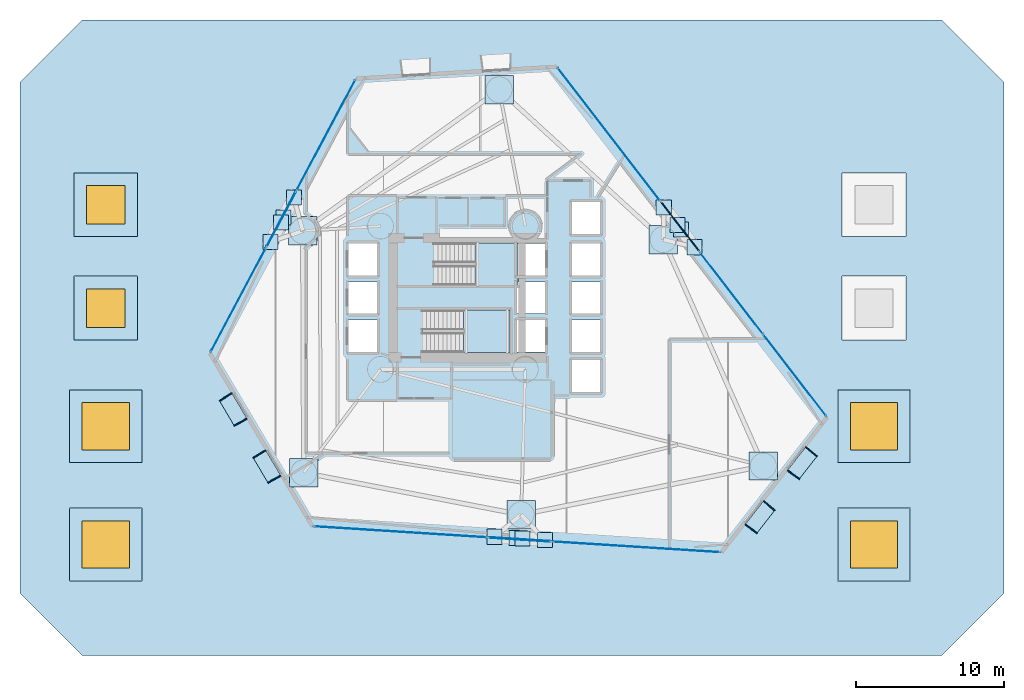
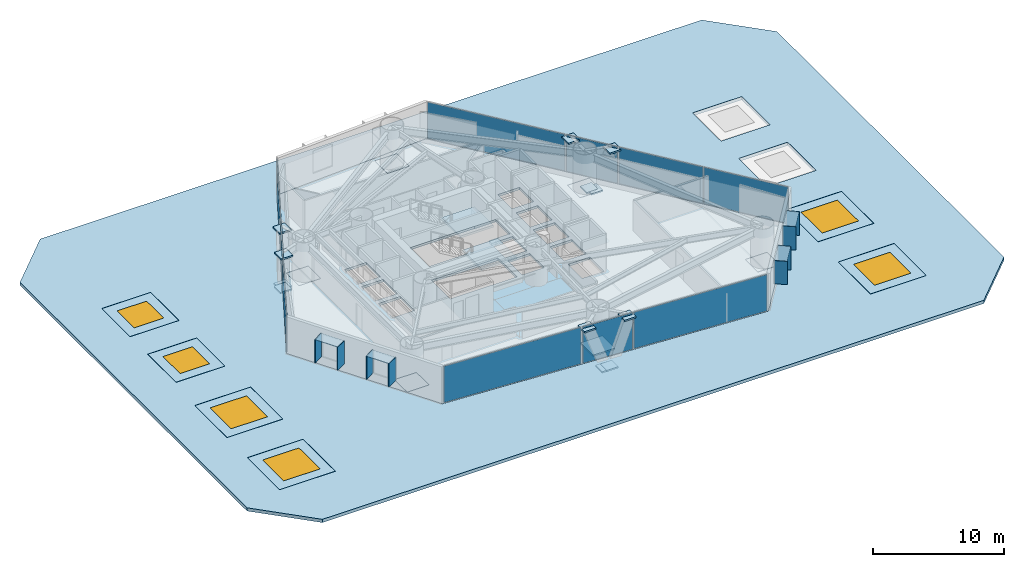
# One storey, part 15 of 22: 40 plates, 10 slabs, 6 windows, 6 openings, 11 elements without a shape of their own.
"""IFC4 building model written with IfcOpenShell, lengths in metres."""

from ifc_helpers import new_model, si_unit, direction, frame, origin, origin_2d, place, context, subcontext, project, spatial, polyline, rectangle, outline, extrude, material, layer, layer_set, type_object, element, fill, aggregate, save


model = new_model("IFC4")

# Units and contexts
model_context = context("Model", 3, precision=1e-05, world=origin(), true_north=direction((0.0, 1.0)))
body_context = subcontext(model_context, "Body", "Model", "MODEL_VIEW")
ifc_project = project(units=[si_unit("LENGTHUNIT", "METRE"), si_unit("AREAUNIT", "SQUARE_METRE"), si_unit("VOLUMEUNIT", "CUBIC_METRE"), si_unit("PLANEANGLEUNIT", "RADIAN"), si_unit("MASSUNIT", "GRAM", prefix="KILO")], contexts=[model_context])

# Site, building, storey
site_placement = place(None, origin())
site = spatial("IfcSite", under=ifc_project, at=site_placement, CompositionType="ELEMENT")
building_placement = place(site_placement, origin())
building = spatial("IfcBuilding", under=site, at=building_placement, Name="Qianvela Tower", CompositionType="ELEMENT")
storey_placement = place(building_placement, frame((0.0, 0.0, 25.699951171875)))
storey = spatial("IfcBuildingStorey", under=building, at=storey_placement, Name="L05", CompositionType="ELEMENT", Elevation=25.699951171875)

# Curtain wall, plate
ifc_material_1 = material(Name="Anodised Architectural Aluminium and Insulated Spandrel Panel", Category="aluminium")
ifc_layer_1 = layer(ifc_material_1, 0.179931640625)
ifc_layer_set_1 = layer_set([ifc_layer_1], Name="Anodised Architectural Aluminium and Insulated Spandrel Panel")
curtain_wall_type_1 = type_object("IfcCurtainWallType", Name="CW-BRACEBAY", PredefinedType="USERDEFINED", material=ifc_layer_set_1)
curtain_wall_1_placement = place(storey_placement, origin())
curtain_wall_1 = element("IfcCurtainWall", 1, at=curtain_wall_1_placement, inside=storey, type_object=curtain_wall_type_1, Name="L05 CW-BRACEBAY Curtain Wall 02B", ObjectType="CURTAIN_WALL_SYSTEM", PredefinedType="USERDEFINED")
ifc_material_2 = material(Name="Insulated Aluminium Spandrel Panel with Mineral-Wool Backpan", Category="aluminium")
ifc_layer_2 = layer(ifc_material_2, 0.06005859375)
ifc_layer_set_2 = layer_set([ifc_layer_2], Name="Insulated Aluminium Spandrel Panel with Mineral-Wool Backpan")
plate_type_1 = type_object("IfcPlateType", Name="CW-BRACEBAY-PNL", PredefinedType="CURTAIN_PANEL", material=ifc_layer_set_2)
plate_1_placement = place(storey_placement, frame((48.876708984375, 33.52001953125, 0.06494140625), z_axis=(0.0, 0.0, 1.0), x_axis=(-0.610808418345, 0.791778426126, 0.0)))
plate_1 = element("IfcPlate", 2, at=plate_1_placement, type_object=plate_type_1, Name="CW-9 panel 1.1", PredefinedType="CURTAIN_PANEL", context=body_context, shape_type="SweptSolid", body=[
    extrude(rectangle(XDim=4.199951171875, YDim=0.06005859375, at=origin_2d()), origin(), (0.0, 0.0, 1.0), 3.389892578125),
])
aggregate(curtain_wall_1, [plate_1])

curtain_wall_2_placement = place(storey_placement, origin())
curtain_wall_2 = element("IfcCurtainWall", 3, at=curtain_wall_2_placement, inside=storey, type_object=curtain_wall_type_1, Name="L05 CW-BRACEBAY Curtain Wall 04B", ObjectType="CURTAIN_WALL_SYSTEM", PredefinedType="USERDEFINED")
plate_2_placement = place(storey_placement, frame((21.87353515625, 34.00634765625, 0.06494140625), z_axis=(0.0, 0.0, 1.0), x_axis=(-0.469480142441, -0.882943030922, 0.0)))
plate_2 = element("IfcPlate", 4, at=plate_2_placement, type_object=plate_type_1, Name="CW-9 panel 1.1", PredefinedType="CURTAIN_PANEL", context=body_context, shape_type="SweptSolid", body=[
    extrude(rectangle(XDim=4.190185546875, YDim=0.06005859375, at=origin_2d()), origin(), (0.0, 0.0, 1.0), 3.389892578125),
])
aggregate(curtain_wall_2, [plate_2])

curtain_wall_3_placement = place(storey_placement, origin())
curtain_wall_3 = element("IfcCurtainWall", 5, at=curtain_wall_3_placement, inside=storey, type_object=curtain_wall_type_1, Name="L05 CW-BRACEBAY Curtain Wall 06B", ObjectType="CURTAIN_WALL_SYSTEM", PredefinedType="USERDEFINED")
plate_3_placement = place(storey_placement, frame((38.009521484375, 12.338623046875, 0.06494140625), z_axis=(0.0, 0.0, 1.0), x_axis=(0.997975356593, -0.06360178955, 0.0)))
plate_3 = element("IfcPlate", 6, at=plate_3_placement, type_object=plate_type_1, Name="CW-9 panel 1.1", PredefinedType="CURTAIN_PANEL", context=body_context, shape_type="SweptSolid", body=[
    extrude(rectangle(XDim=4.199951171875, YDim=0.06005859375, at=origin_2d()), origin(), (0.0, 0.0, 1.0), 3.389892578125),
])
aggregate(curtain_wall_3, [plate_3])

# Curtain wall, plates
ifc_material_3 = material(Name="Anodised Architectural Aluminium and Low-E Glass", Category="aluminium")
ifc_layer_3 = layer(ifc_material_3, 0.179931640625)
ifc_layer_set_3 = layer_set([ifc_layer_3], Name="Anodised Architectural Aluminium and Low-E Glass")
curtain_wall_type_2 = type_object("IfcCurtainWallType", Name="CW-COLIV-Z12", PredefinedType="USERDEFINED", material=ifc_layer_set_3)
curtain_wall_4_placement = place(storey_placement, origin())
curtain_wall_4 = element("IfcCurtainWall", 7, at=curtain_wall_4_placement, inside=storey, type_object=curtain_wall_type_2, Name="L05 CW-COLIV-Z12 Curtain Wall 02A", ObjectType="CURTAIN_WALL_SYSTEM", PredefinedType="USERDEFINED")
ifc_material_4 = material(Name="Double-Silver Low-E Insulated Glass", Category="glass")
ifc_layer_4 = layer(ifc_material_4, 0.030029296875)
ifc_layer_set_4 = layer_set([ifc_layer_4], Name="Double-Silver Low-E Insulated Glass")
plate_type_2 = type_object("IfcPlateType", Name="CW-COLIV-Z12-PNL", PredefinedType="CURTAIN_PANEL", material=ifc_layer_set_4)
plate_4_placement = place(storey_placement, frame((56.638427734375, 23.458251953125, 0.06494140625), z_axis=(0.0, 0.0, 1.0), x_axis=(-0.610794803596, 0.791788928882, 0.0)))
plate_4 = element("IfcPlate", 8, at=plate_4_placement, type_object=plate_type_2, Name="CW-3 panel 1.1", PredefinedType="CURTAIN_PANEL", context=body_context, shape_type="SweptSolid", body=[
    extrude(rectangle(XDim=6.93505859375, YDim=0.030029296875, at=origin_2d()), origin(), (0.0, 0.0, 1.0), 3.389892578125),
])
plate_5_placement = place(storey_placement, frame((52.35986328125, 29.0048828125, 0.06494140625), z_axis=(0.0, 0.0, 1.0), x_axis=(-0.610794803596, 0.791788928882, 0.0)))
plate_5 = element("IfcPlate", 9, at=plate_5_placement, type_object=plate_type_2, Name="CW-3 panel 2.1", PredefinedType="CURTAIN_PANEL", context=body_context, shape_type="SweptSolid", body=[
    extrude(rectangle(XDim=6.93505859375, YDim=0.030029296875, at=origin_2d()), origin(), (0.0, 0.0, 1.0), 3.389892578125),
])
aggregate(curtain_wall_4, [plate_4, plate_5])

# Curtain wall, plate
curtain_wall_5_placement = place(storey_placement, origin())
curtain_wall_5 = element("IfcCurtainWall", 10, at=curtain_wall_5_placement, inside=storey, type_object=curtain_wall_type_2, Name="L05 CW-COLIV-Z12 Curtain Wall 02C", ObjectType="CURTAIN_WALL_SYSTEM", PredefinedType="USERDEFINED")
plate_6_placement = place(storey_placement, frame((44.058349609375, 39.76611328125, 0.06494140625), z_axis=(0.0, 0.0, 1.0), x_axis=(-0.610798134117, 0.79178635967, 0.0)))
plate_6 = element("IfcPlate", 11, at=plate_6_placement, type_object=plate_type_2, Name="CW-3 panel 1.1", PredefinedType="CURTAIN_PANEL", context=body_context, shape_type="SweptSolid", body=[
    extrude(rectangle(XDim=11.30712890625, YDim=0.030029296875, at=origin_2d()), origin(), (0.0, 0.0, 1.0), 3.389892578125),
])
aggregate(curtain_wall_5, [plate_6])

curtain_wall_6_placement = place(storey_placement, origin())
curtain_wall_6 = element("IfcCurtainWall", 12, at=curtain_wall_6_placement, inside=storey, type_object=curtain_wall_type_2, Name="L05 CW-COLIV-Z12 Curtain Wall 04A", ObjectType="CURTAIN_WALL_SYSTEM", PredefinedType="USERDEFINED")
plate_7_placement = place(storey_placement, frame((24.901611328125, 39.701416015625, 0.06494140625), z_axis=(0.0, 0.0, 1.0), x_axis=(-0.469465098705, -0.882951029841, 0.0)))
plate_7 = element("IfcPlate", 13, at=plate_7_placement, type_object=plate_type_2, Name="CW-3 panel 1.1", PredefinedType="CURTAIN_PANEL", context=body_context, shape_type="SweptSolid", body=[
    extrude(rectangle(XDim=8.43994140625, YDim=0.030029296875, at=origin_2d()), origin(), (0.0, 0.0, 1.0), 3.389892578125),
])
aggregate(curtain_wall_6, [plate_7])

curtain_wall_7_placement = place(storey_placement, origin())
curtain_wall_7 = element("IfcCurtainWall", 14, at=curtain_wall_7_placement, inside=storey, type_object=curtain_wall_type_2, Name="L05 CW-COLIV-Z12 Curtain Wall 04C", ObjectType="CURTAIN_WALL_SYSTEM", PredefinedType="USERDEFINED")
plate_8_placement = place(storey_placement, frame((18.970947265625, 28.547119140625, 0.06494140625), z_axis=(0.0, 0.0, 1.0), x_axis=(-0.469464766287, -0.882951206588, 0.0)))
plate_8 = element("IfcPlate", 15, at=plate_8_placement, type_object=plate_type_2, Name="CW-3 panel 1.1", PredefinedType="CURTAIN_PANEL", context=body_context, shape_type="SweptSolid", body=[
    extrude(rectangle(XDim=7.906005859375, YDim=0.030029296875, at=origin_2d()), origin(), (0.0, 0.0, 1.0), 3.389892578125),
])
aggregate(curtain_wall_7, [plate_8])

curtain_wall_8_placement = place(storey_placement, origin())
curtain_wall_8 = element("IfcCurtainWall", 16, at=curtain_wall_8_placement, inside=storey, type_object=curtain_wall_type_2, Name="L05 CW-COLIV-Z12 Curtain Wall 06A", ObjectType="CURTAIN_WALL_SYSTEM", PredefinedType="USERDEFINED")
plate_9_placement = place(storey_placement, frame((29.94580078125, 12.8525390625, 0.06494140625), z_axis=(0.0, 0.0, 1.0), x_axis=(0.997974852646, -0.063609696481, 0.0)))
plate_9 = element("IfcPlate", 17, at=plate_9_placement, type_object=plate_type_2, Name="CW-3 panel 1.1", PredefinedType="CURTAIN_PANEL", context=body_context, shape_type="SweptSolid", body=[
    extrude(rectangle(XDim=11.68994140625, YDim=0.030029296875, at=origin_2d()), origin(), (0.0, 0.0, 1.0), 3.389892578125),
])
aggregate(curtain_wall_8, [plate_9])

curtain_wall_9_placement = place(storey_placement, origin())
curtain_wall_9 = element("IfcCurtainWall", 18, at=curtain_wall_9_placement, inside=storey, type_object=curtain_wall_type_2, Name="L05 CW-COLIV-Z12 Curtain Wall 06C", ObjectType="CURTAIN_WALL_SYSTEM", PredefinedType="USERDEFINED")
plate_10_placement = place(storey_placement, frame((45.897705078125, 11.8359375, 0.06494140625), z_axis=(0.0, 0.0, 1.0), x_axis=(0.997974935282, -0.063608399994, 0.0)))
plate_10 = element("IfcPlate", 19, at=plate_10_placement, type_object=plate_type_2, Name="CW-3 panel 1.1", PredefinedType="CURTAIN_PANEL", context=body_context, shape_type="SweptSolid", body=[
    extrude(rectangle(XDim=11.338134765625, YDim=0.030029296875, at=origin_2d()), origin(), (0.0, 0.0, 1.0), 3.389892578125),
])
aggregate(curtain_wall_9, [plate_10])

# Plates
ifc_material_5 = material(Name="Steel Q420GJC", Category="steel")
ifc_layer_5 = layer(ifc_material_5, 0.139892578125)
ifc_layer_set_5 = layer_set([ifc_layer_5], Name="Steel Q420GJC")
plate_type_3 = type_object("IfcPlateType", Name="PT-GUSSET-NODE-140", PredefinedType="USERDEFINED", material=ifc_layer_set_5)
for number, where, z_axis, x_axis, name in (
    (20, (54.511962890625, 17.31689453125, -0.134765625), (0.0, 0.0, 1.0), (1.0, 0.0, 0.0), "L05 Node Gusset Plate BOT"),
    (21, (47.736083984375, 32.636962890625, -0.134765625), (0.0, 0.0, 1.0), (1.0, 0.0, 0.0), "L05 Node Gusset Plate BOT"),
    (22, (36.632080078125, 42.778076171875, -0.134765625), (0.0, 0.0, 1.0), (1.0, 0.0, 0.0), "L05 Node Gusset Plate BOT"),
    (23, (23.337890625, 33.22802734375, -0.134765625), (0.0, 0.0, 1.0), (1.0, 0.0, 0.0), "L05 Node Gusset Plate BOT"),
    (24, (23.404052734375, 16.860107421875, -0.134765625), (0.0, 0.0, 1.0), (1.0, 0.0, 0.0), "L05 Node Gusset Plate BOT"),
    (25, (38.1201171875, 14.01611328125, -0.134765625), (0.0, 0.0, 1.0), (1.0, 0.0, 0.0), "L05 Node Gusset Plate BOT"),
):
    element("IfcPlate", number, at=place(storey_placement, frame(where, z_axis=z_axis, x_axis=x_axis)), inside=storey, type_object=plate_type_3, Name=name, ObjectType="GUSSET_PLATE", PredefinedType="USERDEFINED", context=body_context, shape_type="SweptSolid", body=[
        extrude(rectangle(XDim=1.919921875, YDim=1.919921875, at=origin_2d()), origin(), (0.0, 0.0, 1.0), 0.139892578125),
    ])
for number, where, z_axis, x_axis, name in (
    (26, (48.935791015625, 33.3125, -1.033203125), (0.0, 0.0, 1.0), (1.0, 0.0, 0.0), "L05 Node Gusset Plate A"),
    (27, (49.858154296875, 32.116943359375, 3.1591796875), (0.0, 0.0, 1.0), (1.0, 0.0, 0.0), "L05 Node Gusset Plate B"),
    (28, (48.694091796875, 33.626220703125, -1.033203125), (0.0, 0.0, 1.0), (1.0, 0.0, 0.0), "L05 Node Gusset Plate A"),
    (29, (47.771728515625, 34.821533203125, 3.1591796875), (0.0, 0.0, 1.0), (1.0, 0.0, 0.0), "L05 Node Gusset Plate B"),
    (30, (22.037353515625, 34.143798828125, -1.033203125), (0.0, 0.0, 1.0), (1.0, 0.0, 0.0), "L05 Node Gusset Plate A"),
    (31, (22.74609375, 35.476806640625, 3.1591796875), (0.0, 0.0, 1.0), (1.0, 0.0, 0.0), "L05 Node Gusset Plate B"),
    (32, (21.851318359375, 33.794189453125, -1.033203125), (0.0, 0.0, 1.0), (1.0, 0.0, 0.0), "L05 Node Gusset Plate A"),
    (33, (21.142578125, 32.461181640625, 3.1591796875), (0.0, 0.0, 1.0), (1.0, 0.0, 0.0), "L05 Node Gusset Plate B"),
    (34, (37.820556640625, 12.430908203125, -1.033203125), (0.0, 0.0, 1.0), (1.0, 0.0, 0.0), "L05 Node Gusset Plate A"),
    (35, (36.313720703125, 12.527099609375, 3.1591796875), (0.0, 0.0, 1.0), (1.0, 0.0, 0.0), "L05 Node Gusset Plate B"),
    (36, (38.2158203125, 12.40576171875, -1.033203125), (0.0, 0.0, 1.0), (1.0, 0.0, 0.0), "L05 Node Gusset Plate A"),
    (37, (39.72265625, 12.309814453125, 3.1591796875), (0.0, 0.0, 1.0), (1.0, 0.0, 0.0), "L05 Node Gusset Plate B"),
):
    element("IfcPlate", number, at=place(storey_placement, frame(where, z_axis=z_axis, x_axis=x_axis)), inside=storey, type_object=plate_type_3, Name=name, ObjectType="GUSSET_PLATE", PredefinedType="USERDEFINED", context=body_context, shape_type="SweptSolid", body=[
        extrude(rectangle(XDim=1.02001953125, YDim=1.02001953125, at=origin_2d()), origin(), (0.0, 0.0, 1.0), 0.139892578125),
    ])

# Slabs
ifc_material_6 = material(Name="Concrete C40", Category="concrete")
ifc_layer_6 = layer(ifc_material_6, 0.219970703125)
ifc_layer_set_6 = layer_set([ifc_layer_6], Name="Concrete C40")
slab_type_1 = type_object("IfcSlabType", Name="SL-POD-220", PredefinedType="FLOOR", material=ifc_layer_set_6)
slab_1_placement = place(storey_placement, frame((0.0, 0.0, -0.219970703125)))
element("IfcSlab", 38, at=slab_1_placement, inside=storey, type_object=slab_type_1, Name="L05 Composite Structural Floor Slab", PredefinedType="FLOOR", context=body_context, shape_type="SweptSolid", body=[
    extrude(outline(polyline([(51.6748046875, 11.4677734375), (58.82958984375, 20.617919921875), (40.531982421875, 44.33740234375), (26.939208984375, 43.533203125), (17.05859375, 24.95068359375), (23.992919921875, 13.232177734375), (51.6748046875, 11.4677734375)]), holes=[polyline([(28.360107421875, 27.179931640625), (26.43994140625, 27.179931640625), (26.43994140625, 25.02001953125), (28.360107421875, 25.02001953125), (28.360107421875, 27.179931640625)]), polyline([(39.760009765625, 25.02001953125), (39.760009765625, 27.179931640625), (37.840087890625, 27.179931640625), (37.840087890625, 25.02001953125), (39.760009765625, 25.02001953125)]), polyline([(37.35009765625, 25.0), (37.35009765625, 27.860107421875), (31.469970703125, 27.860107421875), (31.469970703125, 25.0), (37.35009765625, 25.0)]), polyline([(28.360107421875, 29.780029296875), (26.43994140625, 29.780029296875), (26.43994140625, 27.6201171875), (28.360107421875, 27.6201171875), (28.360107421875, 29.780029296875)]), polyline([(37.840087890625, 29.5400390625), (37.840087890625, 27.6201171875), (39.760009765625, 27.6201171875), (39.760009765625, 29.780029296875), (37.89990234375, 29.780029296875), (37.89990234375, 30.219970703125), (39.760009765625, 30.219970703125), (39.760009765625, 32.3798828125), (37.89990234375, 32.3798828125), (37.89990234375, 32.39990234375), (32.25, 32.39990234375), (32.25, 29.5400390625), (37.840087890625, 29.5400390625)]), polyline([(28.360107421875, 30.219970703125), (28.360107421875, 32.3798828125), (26.43994140625, 32.3798828125), (26.43994140625, 30.219970703125), (28.360107421875, 30.219970703125)]), polyline([(43.4599609375, 22.320068359375), (43.4599609375, 24.47998046875), (41.5400390625, 24.47998046875), (41.5400390625, 22.320068359375), (43.4599609375, 22.320068359375)]), polyline([(43.4599609375, 25.02001953125), (43.4599609375, 27.179931640625), (41.5400390625, 27.179931640625), (41.5400390625, 25.02001953125), (43.4599609375, 25.02001953125)]), polyline([(43.4599609375, 27.6201171875), (43.4599609375, 29.780029296875), (41.5400390625, 29.780029296875), (41.5400390625, 27.6201171875), (43.4599609375, 27.6201171875)]), polyline([(43.4599609375, 30.219970703125), (43.4599609375, 32.3798828125), (41.5400390625, 32.3798828125), (41.5400390625, 30.219970703125), (43.4599609375, 30.219970703125)]), polyline([(43.4599609375, 33.02001953125), (43.4599609375, 35.179931640625), (41.5400390625, 35.179931640625), (41.5400390625, 33.02001953125), (43.4599609375, 33.02001953125)])]), origin(), (0.0, 0.0, 1.0), 0.219970703125),
])
ifc_material_7 = material(Name="Concrete C40", Category="concrete")
ifc_layer_7 = layer(ifc_material_7, 0.300048828125)
ifc_layer_set_7 = layer_set([ifc_layer_7], Name="Concrete C40")
slab_type_2 = type_object("IfcSlabType", Name="SL-POD-ROOF-300", PredefinedType="ROOF", material=ifc_layer_set_7)
slab_2_placement = place(storey_placement, frame((0.0, 0.0, -0.300048828125)))
element("IfcSlab", 39, at=slab_2_placement, inside=storey, type_object=slab_type_2, Name="L05 Podium Structural Roof Slab", PredefinedType="ROOF", context=body_context, shape_type="SweptSolid", body=[
    extrude(outline(polyline([(8.39990234375, 4.5), (66.60009765625, 4.5), (70.800048828125, 8.699951171875), (70.800048828125, 43.300048828125), (66.60009765625, 47.5), (8.39990234375, 47.5), (4.199951171875, 43.300048828125), (4.199951171875, 8.699951171875), (8.39990234375, 4.5)]), holes=[polyline([(51.6748046875, 11.4677734375), (58.82958984375, 20.617919921875), (40.531982421875, 44.33740234375), (26.939208984375, 43.533203125), (17.05859375, 24.95068359375), (23.992919921875, 13.232177734375), (51.6748046875, 11.4677734375)]), polyline([(7.5400390625, 9.5400390625), (12.4599609375, 9.5400390625), (12.4599609375, 14.4599609375), (7.5400390625, 14.4599609375), (7.5400390625, 9.5400390625)]), polyline([(7.5400390625, 17.5400390625), (12.4599609375, 17.5400390625), (12.4599609375, 22.4599609375), (7.5400390625, 22.4599609375), (7.5400390625, 17.5400390625)]), polyline([(7.840087890625, 25.840087890625), (12.159912109375, 25.840087890625), (12.159912109375, 30.159912109375), (7.840087890625, 30.159912109375), (7.840087890625, 25.840087890625)]), polyline([(7.840087890625, 32.840087890625), (12.159912109375, 32.840087890625), (12.159912109375, 37.159912109375), (7.840087890625, 37.159912109375), (7.840087890625, 32.840087890625)]), polyline([(59.5400390625, 9.5400390625), (64.4599609375, 9.5400390625), (64.4599609375, 14.4599609375), (59.5400390625, 14.4599609375), (59.5400390625, 9.5400390625)]), polyline([(59.5400390625, 17.5400390625), (64.4599609375, 17.5400390625), (64.4599609375, 22.4599609375), (59.5400390625, 22.4599609375), (59.5400390625, 17.5400390625)]), polyline([(59.840087890625, 25.840087890625), (64.159912109375, 25.840087890625), (64.159912109375, 30.159912109375), (59.840087890625, 30.159912109375), (59.840087890625, 25.840087890625)]), polyline([(59.840087890625, 32.840087890625), (64.159912109375, 32.840087890625), (64.159912109375, 37.159912109375), (59.840087890625, 37.159912109375), (59.840087890625, 32.840087890625)])]), origin(), (0.0, 0.0, 1.0), 0.300048828125),
])

# Slab, opening, window
ifc_material_8 = material(Name="Insulated Roof Concrete C40", Category="concrete")
ifc_layer_8 = layer(ifc_material_8, 0.239990234375)
ifc_layer_set_8 = layer_set([ifc_layer_8], Name="Insulated Roof Concrete C40")
slab_type_3 = type_object("IfcSlabType", Name="SL-ROOF-CANOPY-240", PredefinedType="ROOF", material=ifc_layer_set_8)
slab_3_placement = place(storey_placement, frame((0.0, 0.0, -0.239990234375)))
slab_3 = element("IfcSlab", 40, at=slab_3_placement, inside=storey, type_object=slab_type_3, Name="L05 Podium Skylight Roof Deck SKP-W1", PredefinedType="ROOF", context=body_context, shape_type="SweptSolid", body=[
    extrude(outline(polyline([(7.550048828125, 9.550048828125), (12.449951171875, 9.550048828125), (12.449951171875, 14.449951171875), (7.550048828125, 14.449951171875), (7.550048828125, 9.550048828125)])), origin(), (0.0, 0.0, 1.0), 0.239990234375),
])
opening_1_placement = place(slab_3_placement, frame((10.0, 12.0, 0.0)))
opening_1 = element("IfcOpeningElement", 41, at=opening_1_placement, cuts=slab_3, Name="Opening SK-01", PredefinedType="OPENING", context=body_context, shape_type="SweptSolid", body=[
    extrude(rectangle(XDim=3.199951171875, YDim=3.199951171875, at=origin_2d()), origin(), (0.0, 0.0, 1.0), 0.239990234375),
])
ifc_material_9 = material(Name="Laminated Safety Low-E Skylight Glass", Category="glass")
window_type_1 = type_object("IfcWindowType", Name="SKY-POD-3200x3200", PartitioningType="SINGLE_PANEL", PredefinedType="SKYLIGHT", material=ifc_material_9)
window_1_placement = place(opening_1_placement, frame((0.0, 0.0, 0.18994140625)))
window_1 = element("IfcWindow", 42, at=window_1_placement, inside=storey, type_object=window_type_1, Name="L05 Podium Concourse Skylight SKP-W1", OverallHeight=3.199951171875, OverallWidth=3.199951171875, PartitioningType="SINGLE_PANEL", PredefinedType="SKYLIGHT", context=body_context, shape_type="SweptSolid", body=[
    extrude(rectangle(XDim=3.199951171875, YDim=3.199951171875, at=origin_2d()), origin(), (0.0, 0.0, 1.0), 0.050048828125),
])
fill(opening_1, window_1)

slab_4_placement = place(storey_placement, frame((0.0, 0.0, -0.239990234375)))
slab_4 = element("IfcSlab", 43, at=slab_4_placement, inside=storey, type_object=slab_type_3, Name="L05 Podium Skylight Roof Deck SKP-W2", PredefinedType="ROOF", context=body_context, shape_type="SweptSolid", body=[
    extrude(outline(polyline([(7.550048828125, 17.550048828125), (12.449951171875, 17.550048828125), (12.449951171875, 22.449951171875), (7.550048828125, 22.449951171875), (7.550048828125, 17.550048828125)])), origin(), (0.0, 0.0, 1.0), 0.239990234375),
])
opening_2_placement = place(slab_4_placement, frame((10.0, 20.0, 0.0)))
opening_2 = element("IfcOpeningElement", 44, at=opening_2_placement, cuts=slab_4, Name="Opening SK-01", PredefinedType="OPENING", context=body_context, shape_type="SweptSolid", body=[
    extrude(rectangle(XDim=3.199951171875, YDim=3.199951171875, at=origin_2d()), origin(), (0.0, 0.0, 1.0), 0.239990234375),
])
window_2_placement = place(opening_2_placement, frame((0.0, 0.0, 0.18994140625)))
window_2 = element("IfcWindow", 45, at=window_2_placement, inside=storey, type_object=window_type_1, Name="L05 Podium Concourse Skylight SKP-W2", OverallHeight=3.199951171875, OverallWidth=3.199951171875, PartitioningType="SINGLE_PANEL", PredefinedType="SKYLIGHT", context=body_context, shape_type="SweptSolid", body=[
    extrude(rectangle(XDim=3.199951171875, YDim=3.199951171875, at=origin_2d()), origin(), (0.0, 0.0, 1.0), 0.050048828125),
])
fill(opening_2, window_2)

slab_5_placement = place(storey_placement, frame((0.0, 0.0, -0.239990234375)))
slab_5 = element("IfcSlab", 46, at=slab_5_placement, inside=storey, type_object=slab_type_3, Name="L05 Podium Skylight Roof Deck SKP-W3", PredefinedType="ROOF", context=body_context, shape_type="SweptSolid", body=[
    extrude(outline(polyline([(7.85009765625, 25.85009765625), (12.14990234375, 25.85009765625), (12.14990234375, 30.14990234375), (7.85009765625, 30.14990234375), (7.85009765625, 25.85009765625)])), origin(), (0.0, 0.0, 1.0), 0.239990234375),
])
opening_3_placement = place(slab_5_placement, frame((10.0, 28.0, 0.0)))
opening_3 = element("IfcOpeningElement", 47, at=opening_3_placement, cuts=slab_5, Name="Opening SK-02", PredefinedType="OPENING", context=body_context, shape_type="SweptSolid", body=[
    extrude(rectangle(XDim=2.60009765625, YDim=2.60009765625, at=origin_2d()), origin(), (0.0, 0.0, 1.0), 0.239990234375),
])
ifc_material_10 = material(Name="Laminated Safety Low-E Skylight Glass", Category="glass")
window_type_2 = type_object("IfcWindowType", Name="SKY-POD-2600x2600", PartitioningType="SINGLE_PANEL", PredefinedType="SKYLIGHT", material=ifc_material_10)
window_3_placement = place(opening_3_placement, frame((0.0, 0.0, 0.18994140625)))
window_3 = element("IfcWindow", 48, at=window_3_placement, inside=storey, type_object=window_type_2, Name="L05 Podium Concourse Skylight SKP-W3", OverallHeight=2.60009765625, OverallWidth=2.60009765625, PartitioningType="SINGLE_PANEL", PredefinedType="SKYLIGHT", context=body_context, shape_type="SweptSolid", body=[
    extrude(rectangle(XDim=2.60009765625, YDim=2.60009765625, at=origin_2d()), origin(), (0.0, 0.0, 1.0), 0.050048828125),
])
fill(opening_3, window_3)

slab_6_placement = place(storey_placement, frame((0.0, 0.0, -0.239990234375)))
slab_6 = element("IfcSlab", 49, at=slab_6_placement, inside=storey, type_object=slab_type_3, Name="L05 Podium Skylight Roof Deck SKP-W4", PredefinedType="ROOF", context=body_context, shape_type="SweptSolid", body=[
    extrude(outline(polyline([(7.85009765625, 32.85009765625), (12.14990234375, 32.85009765625), (12.14990234375, 37.14990234375), (7.85009765625, 37.14990234375), (7.85009765625, 32.85009765625)])), origin(), (0.0, 0.0, 1.0), 0.239990234375),
])
opening_4_placement = place(slab_6_placement, frame((10.0, 35.0, 0.0)))
opening_4 = element("IfcOpeningElement", 50, at=opening_4_placement, cuts=slab_6, Name="Opening SK-02", PredefinedType="OPENING", context=body_context, shape_type="SweptSolid", body=[
    extrude(rectangle(XDim=2.60009765625, YDim=2.60009765625, at=origin_2d()), origin(), (0.0, 0.0, 1.0), 0.239990234375),
])
window_4_placement = place(opening_4_placement, frame((0.0, 0.0, 0.18994140625)))
window_4 = element("IfcWindow", 51, at=window_4_placement, inside=storey, type_object=window_type_2, Name="L05 Podium Concourse Skylight SKP-W4", OverallHeight=2.60009765625, OverallWidth=2.60009765625, PartitioningType="SINGLE_PANEL", PredefinedType="SKYLIGHT", context=body_context, shape_type="SweptSolid", body=[
    extrude(rectangle(XDim=2.60009765625, YDim=2.60009765625, at=origin_2d()), origin(), (0.0, 0.0, 1.0), 0.050048828125),
])
fill(opening_4, window_4)

slab_7_placement = place(storey_placement, frame((0.0, 0.0, -0.239990234375)))
slab_7 = element("IfcSlab", 52, at=slab_7_placement, inside=storey, type_object=slab_type_3, Name="L05 Podium Skylight Roof Deck SKP-E1", PredefinedType="ROOF", context=body_context, shape_type="SweptSolid", body=[
    extrude(outline(polyline([(59.550048828125, 9.550048828125), (64.449951171875, 9.550048828125), (64.449951171875, 14.449951171875), (59.550048828125, 14.449951171875), (59.550048828125, 9.550048828125)])), origin(), (0.0, 0.0, 1.0), 0.239990234375),
])
opening_5_placement = place(slab_7_placement, frame((62.0, 12.0, 0.0)))
opening_5 = element("IfcOpeningElement", 53, at=opening_5_placement, cuts=slab_7, Name="Opening SK-01", PredefinedType="OPENING", context=body_context, shape_type="SweptSolid", body=[
    extrude(rectangle(XDim=3.199951171875, YDim=3.199951171875, at=origin_2d()), origin(), (0.0, 0.0, 1.0), 0.239990234375),
])
window_5_placement = place(opening_5_placement, frame((0.0, 0.0, 0.18994140625)))
window_5 = element("IfcWindow", 54, at=window_5_placement, inside=storey, type_object=window_type_1, Name="L05 Podium Concourse Skylight SKP-E1", OverallHeight=3.199951171875, OverallWidth=3.199951171875, PartitioningType="SINGLE_PANEL", PredefinedType="SKYLIGHT", context=body_context, shape_type="SweptSolid", body=[
    extrude(rectangle(XDim=3.199951171875, YDim=3.199951171875, at=origin_2d()), origin(), (0.0, 0.0, 1.0), 0.050048828125),
])
fill(opening_5, window_5)

slab_8_placement = place(storey_placement, frame((0.0, 0.0, -0.239990234375)))
slab_8 = element("IfcSlab", 55, at=slab_8_placement, inside=storey, type_object=slab_type_3, Name="L05 Podium Skylight Roof Deck SKP-E2", PredefinedType="ROOF", context=body_context, shape_type="SweptSolid", body=[
    extrude(outline(polyline([(59.550048828125, 17.550048828125), (64.449951171875, 17.550048828125), (64.449951171875, 22.449951171875), (59.550048828125, 22.449951171875), (59.550048828125, 17.550048828125)])), origin(), (0.0, 0.0, 1.0), 0.239990234375),
])
opening_6_placement = place(slab_8_placement, frame((62.0, 20.0, 0.0)))
opening_6 = element("IfcOpeningElement", 56, at=opening_6_placement, cuts=slab_8, Name="Opening SK-01", PredefinedType="OPENING", context=body_context, shape_type="SweptSolid", body=[
    extrude(rectangle(XDim=3.199951171875, YDim=3.199951171875, at=origin_2d()), origin(), (0.0, 0.0, 1.0), 0.239990234375),
])
window_6_placement = place(opening_6_placement, frame((0.0, 0.0, 0.18994140625)))
window_6 = element("IfcWindow", 57, at=window_6_placement, inside=storey, type_object=window_type_1, Name="L05 Podium Concourse Skylight SKP-E2", OverallHeight=3.199951171875, OverallWidth=3.199951171875, PartitioningType="SINGLE_PANEL", PredefinedType="SKYLIGHT", context=body_context, shape_type="SweptSolid", body=[
    extrude(rectangle(XDim=3.199951171875, YDim=3.199951171875, at=origin_2d()), origin(), (0.0, 0.0, 1.0), 0.050048828125),
])
fill(opening_6, window_6)

# Stair, slab
ifc_material_11 = material(Name="Concrete C40", Category="concrete")
stair_type = type_object("IfcStairType", Name="ST-DOGLEG-1350-R168-N22", PredefinedType="HALF_TURN_STAIR", material=ifc_material_11)
stair_1_placement = place(storey_placement, origin())
stair_1 = element("IfcStair", 58, at=stair_1_placement, inside=storey, type_object=stair_type, Name="L05 Smoke-Proof Core Stair ST-1", PredefinedType="HALF_TURN_STAIR")
ifc_material_12 = material(Name="Concrete C40", Category="concrete")
ifc_layer_9 = layer(ifc_material_12, 0.199951171875)
ifc_layer_set_9 = layer_set([ifc_layer_9], Name="Concrete C40")
slab_type_4 = type_object("IfcSlabType", Name="SL-STAIR-LANDING-200", PredefinedType="LANDING", material=ifc_layer_set_9)
slab_9_placement = place(storey_placement, frame((0.0, 0.0, 1.650146484375)))
slab_9 = element("IfcSlab", 59, at=slab_9_placement, type_object=slab_type_4, Name="ST-1 landing 1", PredefinedType="LANDING", context=body_context, shape_type="SweptSolid", body=[
    extrude(outline(polyline([(35.0, 29.5400390625), (37.89990234375, 29.5400390625), (37.89990234375, 32.39990234375), (35.0, 32.39990234375), (35.0, 29.5400390625)])), origin(), (0.0, 0.0, 1.0), 0.199951171875),
])
aggregate(stair_1, [slab_9])

stair_2_placement = place(storey_placement, origin())
stair_2 = element("IfcStair", 60, at=stair_2_placement, inside=storey, type_object=stair_type, Name="L05 Smoke-Proof Core Stair ST-2", PredefinedType="HALF_TURN_STAIR")
slab_10_placement = place(storey_placement, frame((0.0, 0.0, 1.650146484375)))
slab_10 = element("IfcSlab", 61, at=slab_10_placement, type_object=slab_type_4, Name="ST-2 landing 1", PredefinedType="LANDING", context=body_context, shape_type="SweptSolid", body=[
    extrude(outline(polyline([(34.219970703125, 25.0), (37.35009765625, 25.0), (37.35009765625, 27.860107421875), (34.219970703125, 27.860107421875), (34.219970703125, 25.0)])), origin(), (0.0, 0.0, 1.0), 0.199951171875),
])
aggregate(stair_2, [slab_10])

# Plates
ifc_material_13 = material(Name="Vitrified Architectural Terracotta Panel", Category="masonry")
ifc_layer_10 = layer(ifc_material_13, 0.06494140625)
ifc_layer_set_10 = layer_set([ifc_layer_10], Name="Vitrified Architectural Terracotta Panel")
plate_type_4 = type_object("IfcPlateType", Name="TERRACOTTA-SUNSHADE-HOOD-FOLD-B", PredefinedType="USERDEFINED", material=ifc_layer_set_10)
for number, where, z_axis, x_axis, name in (
    (62, (54.2900390625, 13.84619140625, 2.9599609375), (0.0, 0.0, 1.0), (0.615980503313, 0.787761397594, 0.0), "L05 Terracotta Sunshade Hood FOLD-B"),
    (63, (57.152099609375, 17.50634765625, 2.9599609375), (0.0, 0.0, 1.0), (0.615980503313, 0.787761397594, 0.0), "L05 Terracotta Sunshade Hood FOLD-B"),
    (64, (18.626953125, 21.132080078125, 2.9599609375), (0.0, 0.0, 1.0), (0.509253221566, -0.860616730214, 0.0), "L05 Terracotta Sunshade Hood FOLD-B"),
    (65, (20.911865234375, 17.27099609375, 2.9599609375), (0.0, 0.0, 1.0), (0.509253221566, -0.860616730214, 0.0), "L05 Terracotta Sunshade Hood FOLD-B"),
):
    element("IfcPlate", number, at=place(storey_placement, frame(where, z_axis=z_axis, x_axis=x_axis)), inside=storey, type_object=plate_type_4, Name=name, ObjectType="SUNSHADE", PredefinedType="USERDEFINED", context=body_context, shape_type="SweptSolid", body=[
        extrude(rectangle(XDim=2.0400390625, YDim=0.989990234375, at=origin_2d()), origin(), (0.0, 0.0, 1.0), 0.06005859375),
    ])
ifc_material_14 = material(Name="Vitrified Architectural Terracotta Side Fin Panel", Category="masonry")
ifc_layer_11 = layer(ifc_material_14, 0.070068359375)
ifc_layer_set_11 = layer_set([ifc_layer_11], Name="Vitrified Architectural Terracotta Side Fin Panel")
plate_type_5 = type_object("IfcPlateType", Name="TERRACOTTA-SUNSHADE-STRUT-FOLD-B", PredefinedType="USERDEFINED", material=ifc_layer_set_11)
for number, where, z_axis, x_axis, name in (
    (66, (53.68017578125, 13.06640625, 0.85009765625), (0.0, 0.0, 1.0), (0.591636142515, 0.806205107197, 0.0), "L05 Terracotta Sunshade Side Fin HL FOLD-B"),
    (67, (54.89990234375, 14.626220703125, 0.85009765625), (0.0, 0.0, 1.0), (0.639750266208, 0.768582849722, 0.0), "L05 Terracotta Sunshade Side Fin HR FOLD-B"),
    (68, (56.542236328125, 16.726318359375, 0.85009765625), (0.0, 0.0, 1.0), (0.591636142515, 0.806205107197, 0.0), "L05 Terracotta Sunshade Side Fin HL FOLD-B"),
    (69, (57.76171875, 18.2861328125, 0.85009765625), (0.0, 0.0, 1.0), (0.639750266208, 0.768582849722, 0.0), "L05 Terracotta Sunshade Side Fin HR FOLD-B"),
    (70, (18.122802734375, 21.984130859375, 0.85009765625), (0.0, 0.0, 1.0), (0.535297656581, -0.844663494451, 0.0), "L05 Terracotta Sunshade Side Fin HL FOLD-B"),
    (71, (19.131103515625, 20.2802734375, 0.85009765625), (0.0, 0.0, 1.0), (0.482733745813, -0.875767166919, 0.0), "L05 Terracotta Sunshade Side Fin HR FOLD-B"),
    (72, (20.40771484375, 18.122802734375, 0.85009765625), (0.0, 0.0, 1.0), (0.535297656581, -0.844663494451, 0.0), "L05 Terracotta Sunshade Side Fin HL FOLD-B"),
    (73, (21.416015625, 16.4189453125, 0.85009765625), (0.0, 0.0, 1.0), (0.482733745813, -0.875767166919, 0.0), "L05 Terracotta Sunshade Side Fin HR FOLD-B"),
):
    element("IfcPlate", number, at=place(storey_placement, frame(where, z_axis=z_axis, x_axis=x_axis)), inside=storey, type_object=plate_type_5, Name=name, ObjectType="SUNSHADE", PredefinedType="USERDEFINED", context=body_context, shape_type="SweptSolid", body=[
        extrude(rectangle(XDim=0.070068359375, YDim=1.010009765625, at=origin_2d()), origin(), (0.0, 0.0, 1.0), 2.159912109375),
    ])

save(model, "model.ifc")
